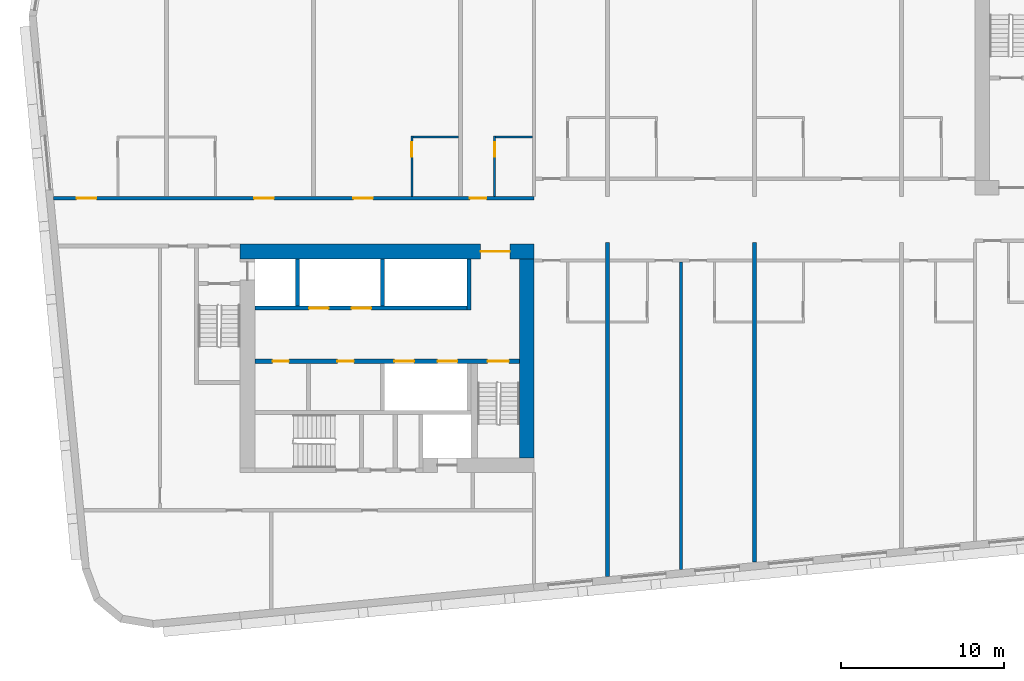
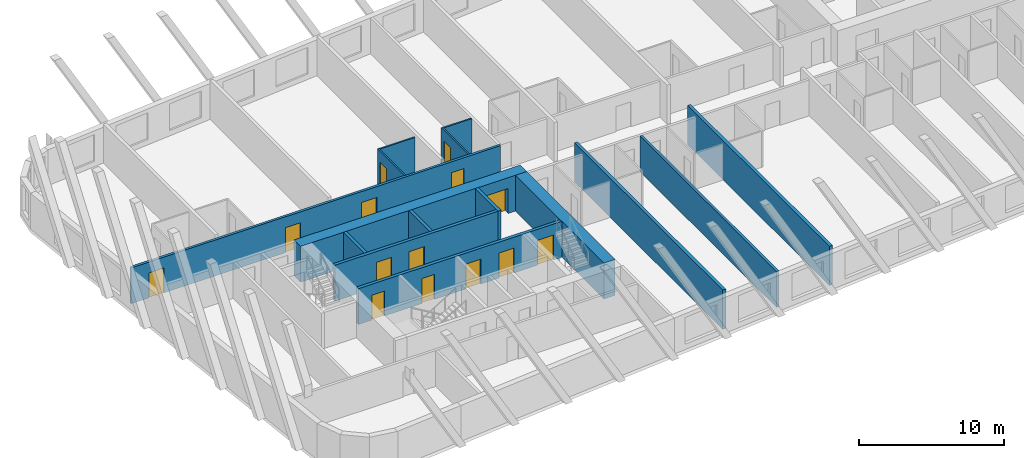
# One storey, part 3 of 13: 15 walls, 14 doors, 14 openings.
"""IFC4 building model written with IfcOpenShell, lengths in metres."""

from ifc_helpers import new_model, si_unit, direction, frame, frame_2d, origin, place, context, subcontext, project, spatial, rectangle, extrude, material, layer, layer_set, type_object, element, fill, save


model = new_model("IFC4")

# Units and contexts
model_context = context("Model", 3, precision=1e-05, world=origin(), true_north=direction((0.0, 1.0)))
body_context = subcontext(model_context, "Body", "Model", "MODEL_VIEW")
ifc_project = project(units=[si_unit("LENGTHUNIT", "METRE"), si_unit("AREAUNIT", "SQUARE_METRE"), si_unit("VOLUMEUNIT", "CUBIC_METRE"), si_unit("PLANEANGLEUNIT", "RADIAN"), si_unit("MASSUNIT", "GRAM", prefix="KILO")], contexts=[model_context])

# Site, building, storey
site_placement = place(None, origin())
site = spatial("IfcSite", under=ifc_project, at=site_placement, CompositionType="ELEMENT")
building_placement = place(site_placement, origin())
building = spatial("IfcBuilding", under=site, at=building_placement, Name="Kajstack Hotel Tower", CompositionType="ELEMENT")
storey_placement = place(building_placement, frame((0.0, 0.0, 186.699951171875)))
storey = spatial("IfcBuildingStorey", under=building, at=storey_placement, Name="L44", CompositionType="ELEMENT", Elevation=186.699951171875)

# Wall, opening, door
ifc_material_1 = material(Name="Concrete C60/75", Category="concrete")
ifc_layer_1 = layer(ifc_material_1, 0.89990234375)
ifc_layer_set_1 = layer_set([ifc_layer_1], Name="Core wall 900")
wall_type_1 = type_object("IfcWallType", Name="Core wall 900", PredefinedType="SHEAR", material=ifc_layer_set_1)
wall_1_placement = place(storey_placement, frame((-31.5, -1.949951171875, 0.0), z_axis=(0.0, 0.0, 1.0), x_axis=(1.0, 0.0, 0.0)))
wall_1 = element("IfcWall", 1, at=wall_1_placement, inside=storey, type_object=wall_type_1, Name="Core wall W RN", PredefinedType="SHEAR", context=body_context, shape_type="SweptSolid", body=[
    extrude(rectangle(XDim=18.0, YDim=0.89990234375, at=frame_2d((9.0, 0.0))), origin(), (0.0, 0.0, 1.0), 3.02001953125),
])
opening_1_placement = place(wall_1_placement, frame((14.72509765625, 0.0, 0.0)))
opening_1 = element("IfcOpeningElement", 2, at=opening_1_placement, cuts=wall_1, Name="Opening 44W07", PredefinedType="OPENING", context=body_context, shape_type="SweptSolid", body=[
    extrude(rectangle(XDim=1.800048828125, YDim=2.10009765625, at=frame_2d((0.89990234375, 1.050048828125))), frame((0.0, 0.4599609375, 0.0), z_axis=(0.0, -1.0, 0.0), x_axis=(1.0, 0.0, 0.0)), (0.0, 0.0, 1.0), 0.919921875),
])
ifc_material_2 = material(Name="Glazed steel frame, fire-rated glass", Category="steel")
door_type_1 = type_object("IfcDoorType", Name="Lobby double door 1800", OperationType="DOUBLE_DOOR_DOUBLE_SWING", PredefinedType="DOOR", material=ifc_material_2)
door_1_placement = place(opening_1_placement, origin())
door_1 = element("IfcDoor", 3, at=door_1_placement, inside=storey, type_object=door_type_1, Name="Door 44W07", OperationType="DOUBLE_DOOR_DOUBLE_SWING", OverallHeight=2.10009765625, OverallWidth=1.800048828125, PredefinedType="DOOR", context=body_context, shape_type="SweptSolid", body=[
    extrude(rectangle(XDim=1.800048828125, YDim=2.10009765625, at=frame_2d((0.89990234375, 1.050048828125))), frame((0.0, 0.02490234375, 0.0), z_axis=(0.0, -1.0, 0.0), x_axis=(1.0, 0.0, 0.0)), (0.0, 0.0, 1.0), 0.050048828125),
])
fill(opening_1, door_1)

# Wall
wall_2_placement = place(storey_placement, frame((-13.949951171875, -14.60009765625, 0.0), z_axis=(0.0, 0.0, 1.0), x_axis=(0.0, 1.0, 0.0)))
element("IfcWall", 4, at=wall_2_placement, inside=storey, type_object=wall_type_1, Name="Core wall W RE", PredefinedType="SHEAR", context=body_context, shape_type="SweptSolid", body=[
    extrude(rectangle(XDim=12.2001953125, YDim=0.89990234375, at=frame_2d((6.10009765625, 0.0))), origin(), (0.0, 0.0, 1.0), 3.02001953125),
])

# Wall, openings, doors
ifc_material_3 = material(Name="Gypsum board on steel studs, mineral wool", Category="steel")
ifc_layer_2 = layer(ifc_material_3, 0.199951171875)
ifc_layer_set_2 = layer_set([ifc_layer_2], Name="Corridor wall 200")
wall_type_2 = type_object("IfcWallType", Name="Corridor wall 200", PredefinedType="PARTITIONING", material=ifc_layer_set_2)
wall_3_placement = place(storey_placement, frame((-42.9130859375, 1.300048828125, 0.0), z_axis=(0.0, 0.0, 1.0), x_axis=(1.0, 0.0, 0.0)))
wall_3 = element("IfcWall", 5, at=wall_3_placement, inside=storey, type_object=wall_type_2, Name="G-wall-L44-003", PredefinedType="PARTITIONING", context=body_context, shape_type="SweptSolid", body=[
    extrude(rectangle(XDim=29.4130859375, YDim=0.199951171875, at=frame_2d((14.70654296875, 0.0))), origin(), (0.0, 0.0, 1.0), 3.02001953125),
])
opening_2_placement = place(wall_3_placement, frame((1.406005859375, 0.0, 0.0)))
opening_2 = element("IfcOpeningElement", 6, at=opening_2_placement, cuts=wall_3, Name="Opening 44001", PredefinedType="OPENING", context=body_context, shape_type="SweptSolid", body=[
    extrude(rectangle(XDim=1.199951171875, YDim=2.10009765625, at=frame_2d((0.60009765625, 1.050048828125))), frame((0.0, 0.10986328125, 0.0), z_axis=(0.0, -1.0, 0.0), x_axis=(1.0, 0.0, 0.0)), (0.0, 0.0, 1.0), 0.219970703125),
])
opening_3_placement = place(wall_3_placement, frame((12.27490234375, 0.0, 0.0)))
opening_3 = element("IfcOpeningElement", 7, at=opening_3_placement, cuts=wall_3, Name="Opening 44003", PredefinedType="OPENING", context=body_context, shape_type="SweptSolid", body=[
    extrude(rectangle(XDim=1.199951171875, YDim=2.10009765625, at=frame_2d((0.60009765625, 1.050048828125))), frame((0.0, 0.10986328125, 0.0), z_axis=(0.0, -1.0, 0.0), x_axis=(1.0, 0.0, 0.0)), (0.0, 0.0, 1.0), 0.219970703125),
])
opening_4_placement = place(wall_3_placement, frame((18.35009765625, 0.0, 0.0)))
opening_4 = element("IfcOpeningElement", 8, at=opening_4_placement, cuts=wall_3, Name="Opening 44005", PredefinedType="OPENING", context=body_context, shape_type="SweptSolid", body=[
    extrude(rectangle(XDim=1.199951171875, YDim=2.10009765625, at=frame_2d((0.60009765625, 1.050048828125))), frame((0.0, 0.10986328125, 0.0), z_axis=(0.0, -1.0, 0.0), x_axis=(1.0, 0.0, 0.0)), (0.0, 0.0, 1.0), 0.219970703125),
])
opening_5_placement = place(wall_3_placement, frame((25.488037109375, 0.0, 0.0)))
opening_5 = element("IfcOpeningElement", 9, at=opening_5_placement, cuts=wall_3, Name="Opening 44007", PredefinedType="OPENING", context=body_context, shape_type="SweptSolid", body=[
    extrude(rectangle(XDim=1.0, YDim=2.10009765625, at=frame_2d((0.5, 1.050048828125))), frame((0.0, 0.10986328125, 0.0), z_axis=(0.0, -1.0, 0.0), x_axis=(1.0, 0.0, 0.0)), (0.0, 0.0, 1.0), 0.219970703125),
])
ifc_material_4 = material(Name="Oak veneer on timber core, fire-rated leaf", Category="wood")
door_type_2 = type_object("IfcDoorType", Name="Flat entrance door 1000", OperationType="SINGLE_SWING_LEFT", PredefinedType="DOOR", material=ifc_material_4)
door_2_placement = place(opening_5_placement, origin())
door_2 = element("IfcDoor", 10, at=door_2_placement, inside=storey, type_object=door_type_2, Name="G-door-L44-07", OperationType="SINGLE_SWING_RIGHT", OverallHeight=2.10009765625, OverallWidth=1.0, PredefinedType="DOOR", context=body_context, shape_type="SweptSolid", body=[
    extrude(rectangle(XDim=1.0, YDim=2.10009765625, at=frame_2d((0.5, 1.050048828125))), frame((0.0, 0.02490234375, 0.0), z_axis=(0.0, -1.0, 0.0), x_axis=(1.0, 0.0, 0.0)), (0.0, 0.0, 1.0), 0.050048828125),
])
fill(opening_5, door_2)
door_type_3 = type_object("IfcDoorType", Name="Flat entrance door 1200", OperationType="SINGLE_SWING_LEFT", PredefinedType="DOOR", material=ifc_material_4)
door_3_placement = place(opening_2_placement, origin())
door_3 = element("IfcDoor", 11, at=door_3_placement, inside=storey, type_object=door_type_3, Name="G-door-L44-01", OperationType="SINGLE_SWING_RIGHT", OverallHeight=2.10009765625, OverallWidth=1.199951171875, PredefinedType="DOOR", context=body_context, shape_type="SweptSolid", body=[
    extrude(rectangle(XDim=1.199951171875, YDim=2.10009765625, at=frame_2d((0.60009765625, 1.050048828125))), frame((0.0, 0.02490234375, 0.0), z_axis=(0.0, -1.0, 0.0), x_axis=(1.0, 0.0, 0.0)), (0.0, 0.0, 1.0), 0.050048828125),
])
fill(opening_2, door_3)
door_4_placement = place(opening_3_placement, origin())
door_4 = element("IfcDoor", 12, at=door_4_placement, inside=storey, type_object=door_type_3, Name="G-door-L44-03", OperationType="SINGLE_SWING_RIGHT", OverallHeight=2.10009765625, OverallWidth=1.199951171875, PredefinedType="DOOR", context=body_context, shape_type="SweptSolid", body=[
    extrude(rectangle(XDim=1.199951171875, YDim=2.10009765625, at=frame_2d((0.60009765625, 1.050048828125))), frame((0.0, 0.02490234375, 0.0), z_axis=(0.0, -1.0, 0.0), x_axis=(1.0, 0.0, 0.0)), (0.0, 0.0, 1.0), 0.050048828125),
])
fill(opening_3, door_4)
door_5_placement = place(opening_4_placement, origin())
door_5 = element("IfcDoor", 13, at=door_5_placement, inside=storey, type_object=door_type_3, Name="G-door-L44-05", OperationType="SINGLE_SWING_RIGHT", OverallHeight=2.10009765625, OverallWidth=1.199951171875, PredefinedType="DOOR", context=body_context, shape_type="SweptSolid", body=[
    extrude(rectangle(XDim=1.199951171875, YDim=2.10009765625, at=frame_2d((0.60009765625, 1.050048828125))), frame((0.0, 0.02490234375, 0.0), z_axis=(0.0, -1.0, 0.0), x_axis=(1.0, 0.0, 0.0)), (0.0, 0.0, 1.0), 0.050048828125),
])
fill(opening_4, door_5)

# Wall
ifc_material_5 = material(Name="Twin-frame gypsum board on steel studs, mineral wool", Category="steel")
ifc_layer_3 = layer(ifc_material_5, 0.199951171875)
ifc_layer_set_3 = layer_set([ifc_layer_3], Name="Demising wall 200")
wall_type_3 = type_object("IfcWallType", Name="Demising wall 200", PredefinedType="PARTITIONING", material=ifc_layer_set_3)
wall_4_placement = place(storey_placement, frame((-4.5, -21.43408203125, 0.0), z_axis=(0.0, 0.0, 1.0), x_axis=(0.0, 1.0, 0.0)))
element("IfcWall", 14, at=wall_4_placement, inside=storey, type_object=wall_type_3, Name="G-wall-L44-026", PredefinedType="PARTITIONING", context=body_context, shape_type="SweptSolid", body=[
    extrude(rectangle(XDim=18.833984375, YDim=0.199951171875, at=frame_2d((9.4169921875, 0.0))), origin(), (0.0, 0.0, 1.0), 3.02001953125),
])

# Wall, opening, door
ifc_material_6 = material(Name="Gypsum board and tiled backer on steel studs", Category="steel")
ifc_layer_4 = layer(ifc_material_6, 0.125)
ifc_layer_set_4 = layer_set([ifc_layer_4], Name="En-suite wall 125")
wall_type_4 = type_object("IfcWallType", Name="En-suite wall 125", PredefinedType="PARTITIONING", material=ifc_layer_set_4)
wall_5_placement = place(storey_placement, frame((-20.988037109375, 1.39990234375, 0.0), z_axis=(0.0, 0.0, 1.0), x_axis=(0.0, 1.0, 0.0)))
wall_5 = element("IfcWall", 15, at=wall_5_placement, inside=storey, type_object=wall_type_4, Name="G-wall-L44-009", PredefinedType="PARTITIONING", context=body_context, shape_type="SweptSolid", body=[
    extrude(rectangle(XDim=3.72509765625, YDim=0.125, at=frame_2d((1.862548828125, 0.0))), origin(), (0.0, 0.0, 1.0), 3.02001953125),
])
opening_6_placement = place(wall_5_placement, frame((2.449951171875, 0.0, 0.0)))
opening_6 = element("IfcOpeningElement", 16, at=opening_6_placement, cuts=wall_5, Name="Opening 44006", PredefinedType="OPENING", context=body_context, shape_type="SweptSolid", body=[
    extrude(rectangle(XDim=0.89990234375, YDim=2.10009765625, at=frame_2d((0.449951171875, 1.050048828125))), frame((0.0, 0.072509765625, 0.0), z_axis=(0.0, -1.0, 0.0), x_axis=(1.0, 0.0, 0.0)), (0.0, 0.0, 1.0), 0.14501953125),
])
ifc_material_7 = material(Name="Painted timber door leaf", Category="wood")
door_type_4 = type_object("IfcDoorType", Name="Room door 900", OperationType="SINGLE_SWING_LEFT", PredefinedType="DOOR", material=ifc_material_7)
door_6_placement = place(opening_6_placement, origin())
door_6 = element("IfcDoor", 17, at=door_6_placement, inside=storey, type_object=door_type_4, Name="G-door-L44-06", OperationType="SINGLE_SWING_RIGHT", OverallHeight=2.10009765625, OverallWidth=0.89990234375, PredefinedType="DOOR", context=body_context, shape_type="SweptSolid", body=[
    extrude(rectangle(XDim=0.89990234375, YDim=2.10009765625, at=frame_2d((0.449951171875, 1.050048828125))), frame((0.0, 0.02490234375, 0.0), z_axis=(0.0, -1.0, 0.0), x_axis=(1.0, 0.0, 0.0)), (0.0, 0.0, 1.0), 0.050048828125),
])
fill(opening_6, door_6)

# Wall
wall_6_placement = place(storey_placement, frame((-20.925048828125, 5.06201171875, 0.0), z_axis=(0.0, 0.0, 1.0), x_axis=(1.0, 0.0, 0.0)))
element("IfcWall", 18, at=wall_6_placement, inside=storey, type_object=wall_type_4, Name="G-wall-L44-010", PredefinedType="PARTITIONING", context=body_context, shape_type="SweptSolid", body=[
    extrude(rectangle(XDim=2.800048828125, YDim=0.125, at=frame_2d((1.39990234375, 0.0))), origin(), (0.0, 0.0, 1.0), 3.02001953125),
])

# Wall, opening, door
wall_7_placement = place(storey_placement, frame((-15.912109375, 1.39990234375, 0.0), z_axis=(0.0, 0.0, 1.0), x_axis=(0.0, 1.0, 0.0)))
wall_7 = element("IfcWall", 19, at=wall_7_placement, inside=storey, type_object=wall_type_4, Name="G-wall-L44-012", PredefinedType="PARTITIONING", context=body_context, shape_type="SweptSolid", body=[
    extrude(rectangle(XDim=3.72509765625, YDim=0.125, at=frame_2d((1.862548828125, 0.0))), origin(), (0.0, 0.0, 1.0), 3.02001953125),
])
opening_7_placement = place(wall_7_placement, frame((2.449951171875, 0.0, 0.0)))
opening_7 = element("IfcOpeningElement", 20, at=opening_7_placement, cuts=wall_7, Name="Opening 44008", PredefinedType="OPENING", context=body_context, shape_type="SweptSolid", body=[
    extrude(rectangle(XDim=0.89990234375, YDim=2.10009765625, at=frame_2d((0.449951171875, 1.050048828125))), frame((0.0, 0.072509765625, 0.0), z_axis=(0.0, -1.0, 0.0), x_axis=(1.0, 0.0, 0.0)), (0.0, 0.0, 1.0), 0.14501953125),
])
door_7_placement = place(opening_7_placement, origin())
door_7 = element("IfcDoor", 21, at=door_7_placement, inside=storey, type_object=door_type_4, Name="G-door-L44-08", OperationType="SINGLE_SWING_RIGHT", OverallHeight=2.10009765625, OverallWidth=0.89990234375, PredefinedType="DOOR", context=body_context, shape_type="SweptSolid", body=[
    extrude(rectangle(XDim=0.89990234375, YDim=2.10009765625, at=frame_2d((0.449951171875, 1.050048828125))), frame((0.0, 0.02490234375, 0.0), z_axis=(0.0, -1.0, 0.0), x_axis=(1.0, 0.0, 0.0)), (0.0, 0.0, 1.0), 0.050048828125),
])
fill(opening_7, door_7)

# Walls
wall_8_placement = place(storey_placement, frame((-15.85009765625, 5.06201171875, 0.0), z_axis=(0.0, 0.0, 1.0), x_axis=(1.0, 0.0, 0.0)))
element("IfcWall", 22, at=wall_8_placement, inside=storey, type_object=wall_type_4, Name="G-wall-L44-013", PredefinedType="PARTITIONING", context=body_context, shape_type="SweptSolid", body=[
    extrude(rectangle(XDim=2.25, YDim=0.125, at=frame_2d((1.125, 0.0))), origin(), (0.0, 0.0, 1.0), 3.02001953125),
])
ifc_material_8 = material(Name="Concrete C50/60", Category="concrete")
ifc_layer_5 = layer(ifc_material_8, 0.300048828125)
ifc_layer_set_5 = layer_set([ifc_layer_5], Name="Hoistway divider wall 300")
wall_type_5 = type_object("IfcWallType", Name="Hoistway divider wall 300", PredefinedType="SHEAR", material=ifc_layer_set_5)
wall_9_placement = place(storey_placement, frame((-22.77490234375, -5.300048828125, 0.0), z_axis=(0.0, 0.0, 1.0), x_axis=(0.0, 1.0, 0.0)))
element("IfcWall", 23, at=wall_9_placement, inside=storey, type_object=wall_type_5, Name="Core wall W AP2", PredefinedType="SHEAR", context=body_context, shape_type="SweptSolid", body=[
    extrude(rectangle(XDim=2.900146484375, YDim=0.25, at=frame_2d((1.4501953125, 0.0))), origin(), (0.0, 0.0, 1.0), 3.02001953125),
])
ifc_layer_6 = layer(ifc_material_8, 0.25)
ifc_layer_set_6 = layer_set([ifc_layer_6], Name="RC cross wall 250 C50/60")
wall_type_6 = type_object("IfcWallType", Name="RC cross wall 250 C50/60", PredefinedType="SHEAR", material=ifc_layer_set_6)
wall_10_placement = place(storey_placement, frame((-9.0, -21.84521484375, 0.0), z_axis=(0.0, 0.0, 1.0), x_axis=(0.0, 1.0, 0.0)))
element("IfcWall", 24, at=wall_10_placement, inside=storey, type_object=wall_type_6, Name="S-wall-L44-04", PredefinedType="SHEAR", context=body_context, shape_type="SweptSolid", body=[
    extrude(rectangle(XDim=20.4453125, YDim=0.25, at=frame_2d((10.22265625, 0.0))), origin(), (0.0, 0.0, 1.0), 3.300048828125),
])
wall_11_placement = place(storey_placement, frame((0.0, -20.978515625, 0.0), z_axis=(0.0, 0.0, 1.0), x_axis=(0.0, 1.0, 0.0)))
element("IfcWall", 25, at=wall_11_placement, inside=storey, type_object=wall_type_6, Name="S-wall-L44-06", PredefinedType="SHEAR", context=body_context, shape_type="SweptSolid", body=[
    extrude(rectangle(XDim=19.57861328125, YDim=0.25, at=frame_2d((9.789306640625, 0.0))), origin(), (0.0, 0.0, 1.0), 3.300048828125),
])

# Wall, openings, doors
ifc_layer_7 = layer(ifc_material_8, 0.25)
ifc_layer_set_7 = layer_set([ifc_layer_7], Name="Shaft wall 250")
wall_type_7 = type_object("IfcWallType", Name="Shaft wall 250", PredefinedType="SHEAR", material=ifc_layer_set_7)
wall_12_placement = place(storey_placement, frame((-30.60009765625, -5.425048828125, 0.0), z_axis=(0.0, 0.0, 1.0), x_axis=(1.0, 0.0, 0.0)))
wall_12 = element("IfcWall", 26, at=wall_12_placement, inside=storey, type_object=wall_type_7, Name="Core wall W FA", PredefinedType="SHEAR", context=body_context, shape_type="SweptSolid", body=[
    extrude(rectangle(XDim=13.0, YDim=0.25, at=frame_2d((6.5, 0.0))), origin(), (0.0, 0.0, 1.0), 3.02001953125),
])
opening_8_placement = place(wall_12_placement, frame((3.324951171875, 0.0, 0.0)))
opening_8 = element("IfcOpeningElement", 27, at=opening_8_placement, cuts=wall_12, Name="Opening LD-MR3", PredefinedType="OPENING", context=body_context, shape_type="SweptSolid", body=[
    extrude(rectangle(XDim=1.199951171875, YDim=2.10009765625, at=frame_2d((0.60009765625, 1.050048828125))), frame((0.0, 0.135009765625, 0.0), z_axis=(0.0, -1.0, 0.0), x_axis=(1.0, 0.0, 0.0)), (0.0, 0.0, 1.0), 0.27001953125),
])
opening_9_placement = place(wall_12_placement, frame((5.925048828125, 0.0, 0.0)))
opening_9 = element("IfcOpeningElement", 28, at=opening_9_placement, cuts=wall_12, Name="Opening LD-MR4", PredefinedType="OPENING", context=body_context, shape_type="SweptSolid", body=[
    extrude(rectangle(XDim=1.199951171875, YDim=2.10009765625, at=frame_2d((0.60009765625, 1.050048828125))), frame((0.0, 0.135009765625, 0.0), z_axis=(0.0, -1.0, 0.0), x_axis=(1.0, 0.0, 0.0)), (0.0, 0.0, 1.0), 0.27001953125),
])
ifc_material_9 = material(Name="Stainless steel", Category="steel")
door_type_5 = type_object("IfcDoorType", Name="Lift landing door 1200", OperationType="SLIDING_TO_LEFT", PredefinedType="DOOR", material=ifc_material_9)
door_8_placement = place(opening_8_placement, origin())
door_8 = element("IfcDoor", 29, at=door_8_placement, inside=storey, type_object=door_type_5, Name="Landing door MR3", OperationType="SLIDING_TO_RIGHT", OverallHeight=2.10009765625, OverallWidth=1.199951171875, PredefinedType="DOOR", context=body_context, shape_type="SweptSolid", body=[
    extrude(rectangle(XDim=1.199951171875, YDim=2.10009765625, at=frame_2d((0.60009765625, 1.050048828125))), frame((0.0, 0.02490234375, 0.0), z_axis=(0.0, -1.0, 0.0), x_axis=(1.0, 0.0, 0.0)), (0.0, 0.0, 1.0), 0.050048828125),
])
fill(opening_8, door_8)
door_9_placement = place(opening_9_placement, origin())
door_9 = element("IfcDoor", 30, at=door_9_placement, inside=storey, type_object=door_type_5, Name="Landing door MR4", OperationType="SLIDING_TO_RIGHT", OverallHeight=2.10009765625, OverallWidth=1.199951171875, PredefinedType="DOOR", context=body_context, shape_type="SweptSolid", body=[
    extrude(rectangle(XDim=1.199951171875, YDim=2.10009765625, at=frame_2d((0.60009765625, 1.050048828125))), frame((0.0, 0.02490234375, 0.0), z_axis=(0.0, -1.0, 0.0), x_axis=(1.0, 0.0, 0.0)), (0.0, 0.0, 1.0), 0.050048828125),
])
fill(opening_9, door_9)

# Walls
wall_13_placement = place(storey_placement, frame((-17.47509765625, -5.550048828125, 0.0), z_axis=(0.0, 0.0, 1.0), x_axis=(0.0, 1.0, 0.0)))
element("IfcWall", 31, at=wall_13_placement, inside=storey, type_object=wall_type_7, Name="Core wall W AE", PredefinedType="SHEAR", context=body_context, shape_type="SweptSolid", body=[
    extrude(rectangle(XDim=3.150146484375, YDim=0.25, at=frame_2d((1.5751953125, 0.0))), origin(), (0.0, 0.0, 1.0), 3.02001953125),
])
wall_14_placement = place(storey_placement, frame((-27.97509765625, -5.300048828125, 0.0), z_axis=(0.0, 0.0, 1.0), x_axis=(0.0, 1.0, 0.0)))
element("IfcWall", 32, at=wall_14_placement, inside=storey, type_object=wall_type_7, Name="Core wall W AP0", PredefinedType="SHEAR", context=body_context, shape_type="SweptSolid", body=[
    extrude(rectangle(XDim=2.900146484375, YDim=0.25, at=frame_2d((1.4501953125, 0.0))), origin(), (0.0, 0.0, 1.0), 3.02001953125),
])

# Wall, openings, doors
wall_15_placement = place(storey_placement, frame((-30.60009765625, -8.675048828125, 0.0), z_axis=(0.0, 0.0, 1.0), x_axis=(1.0, 0.0, 0.0)))
wall_15 = element("IfcWall", 33, at=wall_15_placement, inside=storey, type_object=wall_type_7, Name="Core wall W FB", PredefinedType="SHEAR", context=body_context, shape_type="SweptSolid", body=[
    extrude(rectangle(XDim=16.2001953125, YDim=0.25, at=frame_2d((8.10009765625, 0.0))), origin(), (0.0, 0.0, 1.0), 3.02001953125),
])
opening_10_placement = place(wall_15_placement, frame((8.550048828125, 0.0, 0.0)))
opening_10 = element("IfcOpeningElement", 34, at=opening_10_placement, cuts=wall_15, Name="Opening LD-MR1", PredefinedType="OPENING", context=body_context, shape_type="SweptSolid", body=[
    extrude(rectangle(XDim=1.199951171875, YDim=2.10009765625, at=frame_2d((0.60009765625, 1.050048828125))), frame((0.0, 0.135009765625, 0.0), z_axis=(0.0, -1.0, 0.0), x_axis=(1.0, 0.0, 0.0)), (0.0, 0.0, 1.0), 0.27001953125),
])
opening_11_placement = place(wall_15_placement, frame((11.199951171875, 0.0, 0.0)))
opening_11 = element("IfcOpeningElement", 35, at=opening_11_placement, cuts=wall_15, Name="Opening LD-MR2", PredefinedType="OPENING", context=body_context, shape_type="SweptSolid", body=[
    extrude(rectangle(XDim=1.199951171875, YDim=2.10009765625, at=frame_2d((0.60009765625, 1.050048828125))), frame((0.0, 0.135009765625, 0.0), z_axis=(0.0, -1.0, 0.0), x_axis=(1.0, 0.0, 0.0)), (0.0, 0.0, 1.0), 0.27001953125),
])
opening_12_placement = place(wall_15_placement, frame((14.25, 0.0, 0.0)))
opening_12 = element("IfcOpeningElement", 36, at=opening_12_placement, cuts=wall_15, Name="Opening 44W11", PredefinedType="OPENING", context=body_context, shape_type="SweptSolid", body=[
    extrude(rectangle(XDim=1.300048828125, YDim=2.10009765625, at=frame_2d((0.64990234375, 1.050048828125))), frame((0.0, 0.135009765625, 0.0), z_axis=(0.0, -1.0, 0.0), x_axis=(1.0, 0.0, 0.0)), (0.0, 0.0, 1.0), 0.27001953125),
])
opening_13_placement = place(wall_15_placement, frame((1.08740234375, 0.0, 0.0)))
opening_13 = element("IfcOpeningElement", 37, at=opening_13_placement, cuts=wall_15, Name="Opening 44W15", PredefinedType="OPENING", context=body_context, shape_type="SweptSolid", body=[
    extrude(rectangle(XDim=1.0, YDim=2.10009765625, at=frame_2d((0.5, 1.050048828125))), frame((0.0, 0.135009765625, 0.0), z_axis=(0.0, -1.0, 0.0), x_axis=(1.0, 0.0, 0.0)), (0.0, 0.0, 1.0), 0.27001953125),
])
opening_14_placement = place(wall_15_placement, frame((5.0625, 0.0, 0.0)))
opening_14 = element("IfcOpeningElement", 38, at=opening_14_placement, cuts=wall_15, Name="Opening 44W16", PredefinedType="OPENING", context=body_context, shape_type="SweptSolid", body=[
    extrude(rectangle(XDim=1.0, YDim=2.10009765625, at=frame_2d((0.5, 1.050048828125))), frame((0.0, 0.135009765625, 0.0), z_axis=(0.0, -1.0, 0.0), x_axis=(1.0, 0.0, 0.0)), (0.0, 0.0, 1.0), 0.27001953125),
])
door_10_placement = place(opening_10_placement, origin())
door_10 = element("IfcDoor", 39, at=door_10_placement, inside=storey, type_object=door_type_5, Name="Landing door MR1", OperationType="SLIDING_TO_LEFT", OverallHeight=2.10009765625, OverallWidth=1.199951171875, PredefinedType="DOOR", context=body_context, shape_type="SweptSolid", body=[
    extrude(rectangle(XDim=1.199951171875, YDim=2.10009765625, at=frame_2d((0.60009765625, 1.050048828125))), frame((0.0, 0.02490234375, 0.0), z_axis=(0.0, -1.0, 0.0), x_axis=(1.0, 0.0, 0.0)), (0.0, 0.0, 1.0), 0.050048828125),
])
fill(opening_10, door_10)
door_11_placement = place(opening_11_placement, origin())
door_11 = element("IfcDoor", 40, at=door_11_placement, inside=storey, type_object=door_type_5, Name="Landing door MR2", OperationType="SLIDING_TO_RIGHT", OverallHeight=2.10009765625, OverallWidth=1.199951171875, PredefinedType="DOOR", context=body_context, shape_type="SweptSolid", body=[
    extrude(rectangle(XDim=1.199951171875, YDim=2.10009765625, at=frame_2d((0.60009765625, 1.050048828125))), frame((0.0, 0.02490234375, 0.0), z_axis=(0.0, -1.0, 0.0), x_axis=(1.0, 0.0, 0.0)), (0.0, 0.0, 1.0), 0.050048828125),
])
fill(opening_11, door_11)
ifc_material_10 = material(Name="Timber leaf, fire-rated", Category="wood")
door_type_6 = type_object("IfcDoorType", Name="Service room door 1000", OperationType="SINGLE_SWING_LEFT", PredefinedType="DOOR", material=ifc_material_10)
door_12_placement = place(opening_13_placement, origin())
door_12 = element("IfcDoor", 41, at=door_12_placement, inside=storey, type_object=door_type_6, Name="Door 44W15", OperationType="SINGLE_SWING_RIGHT", OverallHeight=2.10009765625, OverallWidth=1.0, PredefinedType="DOOR", context=body_context, shape_type="SweptSolid", body=[
    extrude(rectangle(XDim=1.0, YDim=2.10009765625, at=frame_2d((0.5, 1.050048828125))), frame((0.0, 0.02490234375, 0.0), z_axis=(0.0, -1.0, 0.0), x_axis=(1.0, 0.0, 0.0)), (0.0, 0.0, 1.0), 0.050048828125),
])
fill(opening_13, door_12)
door_13_placement = place(opening_14_placement, origin())
door_13 = element("IfcDoor", 42, at=door_13_placement, inside=storey, type_object=door_type_6, Name="Door 44W16", OperationType="SINGLE_SWING_RIGHT", OverallHeight=2.10009765625, OverallWidth=1.0, PredefinedType="DOOR", context=body_context, shape_type="SweptSolid", body=[
    extrude(rectangle(XDim=1.0, YDim=2.10009765625, at=frame_2d((0.5, 1.050048828125))), frame((0.0, 0.02490234375, 0.0), z_axis=(0.0, -1.0, 0.0), x_axis=(1.0, 0.0, 0.0)), (0.0, 0.0, 1.0), 0.050048828125),
])
fill(opening_14, door_13)
ifc_material_11 = material(Name="Steel leaf, fire-rated", Category="steel")
door_type_7 = type_object("IfcDoorType", Name="Stair door 1300", OperationType="SINGLE_SWING_LEFT", PredefinedType="DOOR", material=ifc_material_11)
door_14_placement = place(opening_12_placement, origin())
door_14 = element("IfcDoor", 43, at=door_14_placement, inside=storey, type_object=door_type_7, Name="Door 44W11", OperationType="SINGLE_SWING_RIGHT", OverallHeight=2.10009765625, OverallWidth=1.300048828125, PredefinedType="DOOR", context=body_context, shape_type="SweptSolid", body=[
    extrude(rectangle(XDim=1.300048828125, YDim=2.10009765625, at=frame_2d((0.64990234375, 1.050048828125))), frame((0.0, 0.02490234375, 0.0), z_axis=(0.0, -1.0, 0.0), x_axis=(1.0, 0.0, 0.0)), (0.0, 0.0, 1.0), 0.050048828125),
])
fill(opening_12, door_14)

save(model, "model.ifc")
